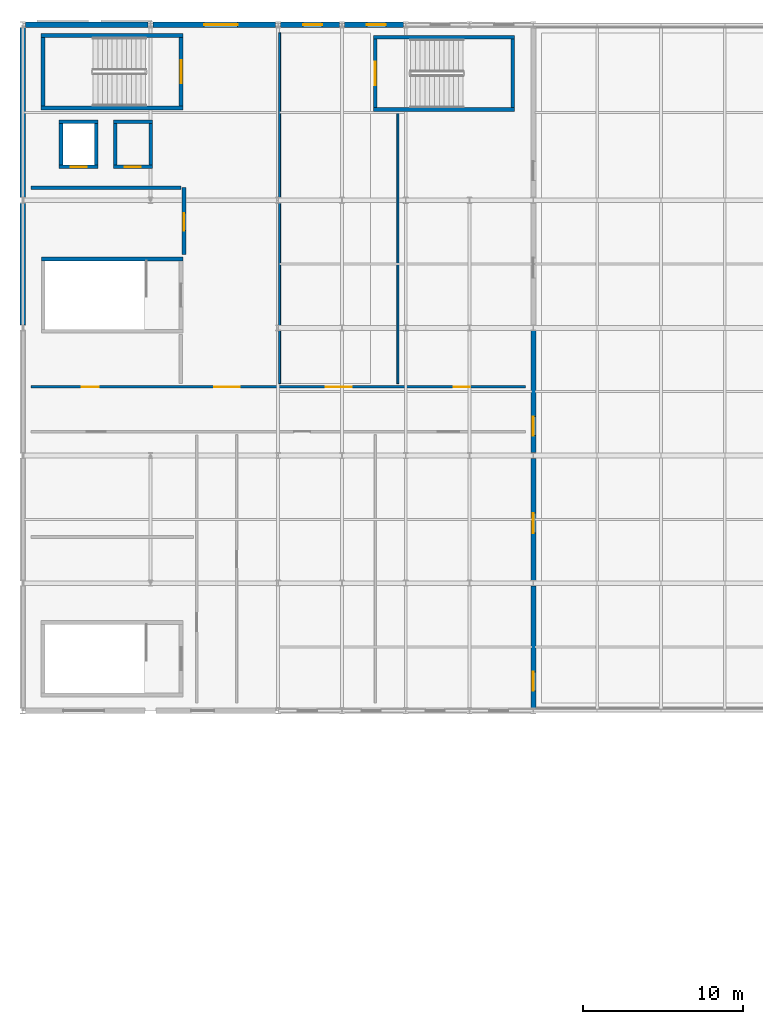
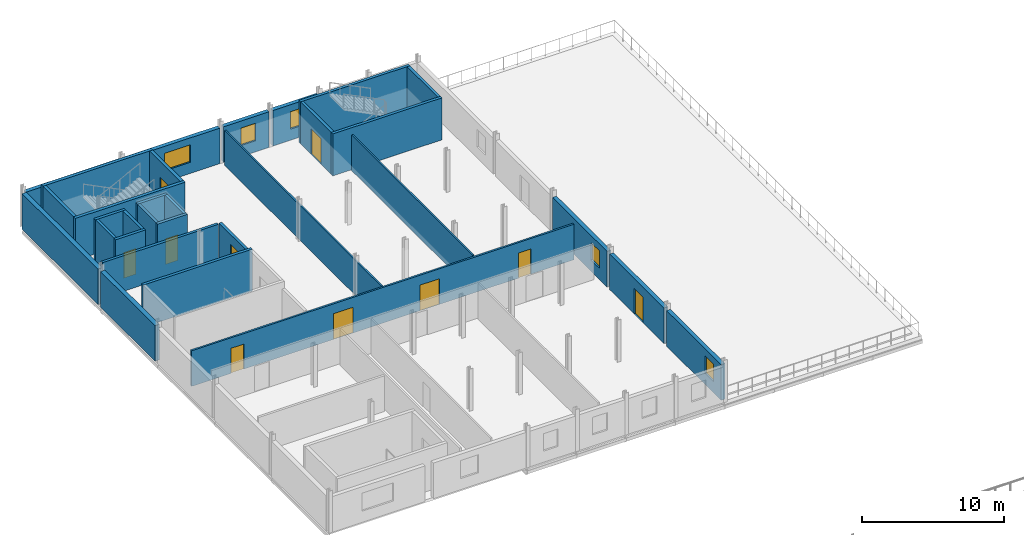
# One storey, part 7 of 11: 31 walls, 10 doors, 5 windows, 15 openings.
"""IFC4 building model written with IfcOpenShell, lengths in metres."""

from ifc_helpers import new_model, si_unit, derived_unit, direction, frame, frame_2d, origin, place, context, subcontext, project, spatial, rectangle, extrude, material, layer, layer_set, type_object, element, fill, save


model = new_model("IFC4")

# Units and contexts
model_context = context("Model", 3, precision=1e-05, world=origin(), true_north=direction((0.0, 1.0)))
body_context = subcontext(model_context, "Body", "Model", "MODEL_VIEW")
ifc_project = project(units=[si_unit("LENGTHUNIT", "METRE"), si_unit("AREAUNIT", "SQUARE_METRE"), si_unit("VOLUMEUNIT", "CUBIC_METRE"), si_unit("PLANEANGLEUNIT", "RADIAN"), si_unit("MASSUNIT", "GRAM", prefix="KILO"), derived_unit("THERMALTRANSMITTANCEUNIT", [(si_unit("POWERUNIT", "WATT"), 1), (si_unit("LENGTHUNIT", "METRE"), -2), (si_unit("THERMODYNAMICTEMPERATUREUNIT", "KELVIN"), -1)])], contexts=[model_context])

# Site, building, storey
site_placement = place(None, origin())
site = spatial("IfcSite", under=ifc_project, at=site_placement, CompositionType="ELEMENT")
building_placement = place(site_placement, origin())
building = spatial("IfcBuilding", under=site, at=building_placement, Name="Keldorne Ridge Multi-Sports Centre", CompositionType="ELEMENT")
storey_placement = place(building_placement, frame((0.0, 0.0, 18.60009765625)))
storey = spatial("IfcBuildingStorey", under=building, at=storey_placement, Name="L04", CompositionType="ELEMENT", Elevation=18.60009765625)

# Wall, opening, door
ifc_material_1 = material(Name="Moisture-resistant stud plumbing wall")
ifc_layer_1 = layer(ifc_material_1, 0.219970703125)
ifc_layer_set_1 = layer_set([ifc_layer_1])
wall_type_1 = type_object("IfcWallType", Name="WAL-PL-01", PredefinedType="PLUMBINGWALL", material=ifc_layer_set_1)
wall_1_placement = place(storey_placement, frame((114.10009765625, 102.60009765625, 0.0), z_axis=(0.0, 0.0, 1.0), x_axis=(0.0, 1.0, 0.0)))
wall_1 = element("IfcWall", 1, at=wall_1_placement, inside=storey, type_object=wall_type_1, Name="Fourth floor Public WC lobby wall IW-L04-079", PredefinedType="PLUMBINGWALL", context=body_context, shape_type="SweptSolid", body=[
    extrude(rectangle(XDim=4.199951171875, YDim=0.219970703125, at=frame_2d((2.10009765625, 0.0))), origin(), (0.0, 0.0, 1.0), 3.0498046875),
])
opening_1_placement = place(wall_1_placement, frame((1.5, 0.0, 0.0)))
opening_1 = element("IfcOpeningElement", 2, at=opening_1_placement, cuts=wall_1, Name="Opening D-03", PredefinedType="OPENING", context=body_context, shape_type="SweptSolid", body=[
    extrude(rectangle(XDim=1.10009765625, YDim=2.199951171875, at=frame_2d((0.550048828125, 1.10009765625))), frame((0.0, 0.1201171875, 0.0), z_axis=(0.0, -1.0, 0.0), x_axis=(1.0, 0.0, 0.0)), (0.0, 0.0, 1.0), 0.239990234375),
])
ifc_material_2 = material(Name="Timber fire-resisting leaf", Category="wood")
door_type_1 = type_object("IfcDoorType", Name="DR-D-03", OperationType="NOTDEFINED", PredefinedType="DOOR", material=ifc_material_2)
door_1_placement = place(opening_1_placement, origin())
door_1 = element("IfcDoor", 3, at=door_1_placement, inside=storey, type_object=door_type_1, Name="Fourth floor Public WC door D-142", OperationType="SINGLE_SWING_RIGHT", OverallHeight=2.199951171875, OverallWidth=1.10009765625, PredefinedType="DOOR", context=body_context, shape_type="SweptSolid", body=[
    extrude(rectangle(XDim=1.10009765625, YDim=2.199951171875, at=frame_2d((0.550048828125, 1.10009765625))), frame((0.0, 0.02490234375, 0.0), z_axis=(0.0, -1.0, 0.0), x_axis=(1.0, 0.0, 0.0)), (0.0, 0.0, 1.0), 0.050048828125),
])
fill(opening_1, door_1)

# Walls
wall_2_placement = place(storey_placement, frame((104.5, 106.800048828125, 0.0), z_axis=(0.0, 0.0, 1.0), x_axis=(1.0, 0.0, 0.0)))
element("IfcWall", 4, at=wall_2_placement, inside=storey, type_object=wall_type_1, Name="Fourth floor Public WC north wall IW-L04-080", PredefinedType="PLUMBINGWALL", context=body_context, shape_type="SweptSolid", body=[
    extrude(rectangle(XDim=9.39990234375, YDim=0.219970703125, at=frame_2d((4.699951171875, 0.0))), origin(), (0.0, 0.0, 1.0), 3.0498046875),
])
ifc_material_3 = material(Name="Precast concrete C40/50", Category="concrete")
ifc_layer_2 = layer(ifc_material_3, 0.320068359375)
ifc_layer_set_2 = layer_set([ifc_layer_2], Name="Precast concrete C40/50")
wall_type_2 = type_object("IfcWallType", Name="WAL-PR-W1", PredefinedType="STANDARD", material=ifc_layer_set_2)
wall_3_placement = place(storey_placement, frame((111.847900390625, 117.0, 0.0), z_axis=(0.0, 0.0, 1.0), x_axis=(-1.0, 0.0, 0.0)))
element("IfcWall", 5, at=wall_3_placement, inside=storey, type_object=wall_type_2, Name="East Wing L04 north facade 1", PredefinedType="STANDARD", context=body_context, shape_type="SweptSolid", body=[
    extrude(rectangle(XDim=7.69580078125, YDim=0.320068359375, at=frame_2d((3.847900390625, 0.0))), origin(), (0.0, 0.0, 1.0), 3.0498046875),
])

# Wall, opening, window
wall_4_placement = place(storey_placement, frame((119.847900390625, 117.0, 0.0), z_axis=(0.0, 0.0, 1.0), x_axis=(-1.0, 0.0, 0.0)))
wall_4 = element("IfcWall", 6, at=wall_4_placement, inside=storey, type_object=wall_type_2, Name="East Wing L04 north facade 2", PredefinedType="STANDARD", context=body_context, shape_type="SweptSolid", body=[
    extrude(rectangle(XDim=7.69580078125, YDim=0.320068359375, at=frame_2d((3.847900390625, 0.0))), origin(), (0.0, 0.0, 1.0), 3.0498046875),
])
opening_2_placement = place(wall_4_placement, frame((2.387939453125, 0.0, 0.949951171875)))
opening_2 = element("IfcOpeningElement", 7, at=opening_2_placement, cuts=wall_4, Name="Opening W-06", PredefinedType="OPENING", context=body_context, shape_type="SweptSolid", body=[
    extrude(rectangle(XDim=2.10009765625, YDim=1.5, at=frame_2d((1.050048828125, 0.75))), frame((0.0, 0.169921875, 0.0), z_axis=(0.0, -1.0, 0.0), x_axis=(1.0, 0.0, 0.0)), (0.0, 0.0, 1.0), 0.340087890625),
])
ifc_material_4 = material(Name="Anodized aluminium", Category="aluminium")
window_type_1 = type_object("IfcWindowType", Name="WIN-W-06", PartitioningType="DOUBLE_PANEL_VERTICAL", PredefinedType="WINDOW", material=ifc_material_4)
window_1_placement = place(opening_2_placement, origin())
window_1 = element("IfcWindow", 8, at=window_1_placement, inside=storey, type_object=window_type_1, Name="East Wing L04 north window W-113", OverallHeight=1.5, OverallWidth=2.10009765625, PartitioningType="SINGLE_PANEL", PredefinedType="WINDOW", context=body_context, shape_type="SweptSolid", body=[
    extrude(rectangle(XDim=2.10009765625, YDim=1.5, at=frame_2d((1.050048828125, 0.75))), frame((0.0, 0.030029296875, 0.0), z_axis=(0.0, -1.0, 0.0), x_axis=(1.0, 0.0, 0.0)), (0.0, 0.0, 1.0), 0.06005859375),
])
fill(opening_2, window_1)

wall_5_placement = place(storey_placement, frame((123.847900390625, 117.0, 0.0), z_axis=(0.0, 0.0, 1.0), x_axis=(-1.0, 0.0, 0.0)))
wall_5 = element("IfcWall", 9, at=wall_5_placement, inside=storey, type_object=wall_type_2, Name="East Wing L04 north facade 3", PredefinedType="STANDARD", context=body_context, shape_type="SweptSolid", body=[
    extrude(rectangle(XDim=3.69580078125, YDim=0.320068359375, at=frame_2d((1.847900390625, 0.0))), origin(), (0.0, 0.0, 1.0), 3.0498046875),
])
opening_3_placement = place(wall_5_placement, frame((1.087890625, 0.0, 0.949951171875)))
opening_3 = element("IfcOpeningElement", 10, at=opening_3_placement, cuts=wall_5, Name="Opening W-03", PredefinedType="OPENING", context=body_context, shape_type="SweptSolid", body=[
    extrude(rectangle(XDim=1.199951171875, YDim=1.5, at=frame_2d((0.60009765625, 0.75))), frame((0.0, 0.169921875, 0.0), z_axis=(0.0, -1.0, 0.0), x_axis=(1.0, 0.0, 0.0)), (0.0, 0.0, 1.0), 0.340087890625),
])
window_type_2 = type_object("IfcWindowType", Name="WIN-W-03", PartitioningType="SINGLE_PANEL", PredefinedType="WINDOW", material=ifc_material_4)
window_2_placement = place(opening_3_placement, origin())
window_2 = element("IfcWindow", 11, at=window_2_placement, inside=storey, type_object=window_type_2, Name="East Wing L04 north window W-114", OverallHeight=1.5, OverallWidth=1.199951171875, PartitioningType="SINGLE_PANEL", PredefinedType="WINDOW", context=body_context, shape_type="SweptSolid", body=[
    extrude(rectangle(XDim=1.199951171875, YDim=1.5, at=frame_2d((0.60009765625, 0.75))), frame((0.0, 0.030029296875, 0.0), z_axis=(0.0, -1.0, 0.0), x_axis=(1.0, 0.0, 0.0)), (0.0, 0.0, 1.0), 0.06005859375),
])
fill(opening_3, window_2)

wall_6_placement = place(storey_placement, frame((127.847900390625, 117.0, 0.0), z_axis=(0.0, 0.0, 1.0), x_axis=(-1.0, 0.0, 0.0)))
wall_6 = element("IfcWall", 12, at=wall_6_placement, inside=storey, type_object=wall_type_2, Name="East Wing L04 north facade 4", PredefinedType="STANDARD", context=body_context, shape_type="SweptSolid", body=[
    extrude(rectangle(XDim=3.69580078125, YDim=0.320068359375, at=frame_2d((1.847900390625, 0.0))), origin(), (0.0, 0.0, 1.0), 3.0498046875),
])
opening_4_placement = place(wall_6_placement, frame((1.087890625, 0.0, 0.949951171875)))
opening_4 = element("IfcOpeningElement", 13, at=opening_4_placement, cuts=wall_6, Name="Opening W-03", PredefinedType="OPENING", context=body_context, shape_type="SweptSolid", body=[
    extrude(rectangle(XDim=1.199951171875, YDim=1.5, at=frame_2d((0.60009765625, 0.75))), frame((0.0, 0.169921875, 0.0), z_axis=(0.0, -1.0, 0.0), x_axis=(1.0, 0.0, 0.0)), (0.0, 0.0, 1.0), 0.340087890625),
])
window_3_placement = place(opening_4_placement, origin())
window_3 = element("IfcWindow", 14, at=window_3_placement, inside=storey, type_object=window_type_2, Name="East Wing L04 north window W-115", OverallHeight=1.5, OverallWidth=1.199951171875, PartitioningType="SINGLE_PANEL", PredefinedType="WINDOW", context=body_context, shape_type="SweptSolid", body=[
    extrude(rectangle(XDim=1.199951171875, YDim=1.5, at=frame_2d((0.60009765625, 0.75))), frame((0.0, 0.030029296875, 0.0), z_axis=(0.0, -1.0, 0.0), x_axis=(1.0, 0.0, 0.0)), (0.0, 0.0, 1.0), 0.06005859375),
])
fill(opening_4, window_3)

wall_7_placement = place(storey_placement, frame((136.0, 74.177001953125, 0.0), z_axis=(0.0, 0.0, 1.0), x_axis=(0.0, 1.0, 0.0)))
wall_7 = element("IfcWall", 15, at=wall_7_placement, inside=storey, type_object=wall_type_2, Name="East Wing L04 east facade 1", PredefinedType="STANDARD", context=body_context, shape_type="SweptSolid", body=[
    extrude(rectangle(XDim=7.64599609375, YDim=0.320068359375, at=frame_2d((3.822998046875, 0.0))), origin(), (0.0, 0.0, 1.0), 3.0498046875),
])
opening_5_placement = place(wall_7_placement, frame((1.06298828125, 0.0, 0.949951171875)))
opening_5 = element("IfcOpeningElement", 16, at=opening_5_placement, cuts=wall_7, Name="Opening W-03", PredefinedType="OPENING", context=body_context, shape_type="SweptSolid", body=[
    extrude(rectangle(XDim=1.199951171875, YDim=1.5, at=frame_2d((0.60009765625, 0.75))), frame((0.0, 0.169921875, 0.0), z_axis=(0.0, -1.0, 0.0), x_axis=(1.0, 0.0, 0.0)), (0.0, 0.0, 1.0), 0.340087890625),
])
window_4_placement = place(opening_5_placement, origin())
window_4 = element("IfcWindow", 17, at=window_4_placement, inside=storey, type_object=window_type_2, Name="East Wing L04 east window W-118", OverallHeight=1.5, OverallWidth=1.199951171875, PartitioningType="SINGLE_PANEL", PredefinedType="WINDOW", context=body_context, shape_type="SweptSolid", body=[
    extrude(rectangle(XDim=1.199951171875, YDim=1.5, at=frame_2d((0.60009765625, 0.75))), frame((0.0, 0.030029296875, 0.0), z_axis=(0.0, -1.0, 0.0), x_axis=(1.0, 0.0, 0.0)), (0.0, 0.0, 1.0), 0.06005859375),
])
fill(opening_5, window_4)

# Wall, opening, door
wall_8_placement = place(storey_placement, frame((136.0, 82.177001953125, 0.0), z_axis=(0.0, 0.0, 1.0), x_axis=(0.0, 1.0, 0.0)))
wall_8 = element("IfcWall", 18, at=wall_8_placement, inside=storey, type_object=wall_type_2, Name="East Wing L04 east facade 2", PredefinedType="STANDARD", context=body_context, shape_type="SweptSolid", body=[
    extrude(rectangle(XDim=7.64599609375, YDim=0.320068359375, at=frame_2d((3.822998046875, 0.0))), origin(), (0.0, 0.0, 1.0), 3.0498046875),
])
opening_6_placement = place(wall_8_placement, frame((2.962890625, 0.0, 0.0)))
opening_6 = element("IfcOpeningElement", 19, at=opening_6_placement, cuts=wall_8, Name="Opening ED-06", PredefinedType="OPENING", context=body_context, shape_type="SweptSolid", body=[
    extrude(rectangle(XDim=1.25, YDim=2.199951171875, at=frame_2d((0.625, 1.10009765625))), frame((0.0, 0.169921875, 0.0), z_axis=(0.0, -1.0, 0.0), x_axis=(1.0, 0.0, 0.0)), (0.0, 0.0, 1.0), 0.340087890625),
])
ifc_material_5 = material(Name="Galvanized steel", Category="steel")
door_type_2 = type_object("IfcDoorType", Name="DR-ED-06", OperationType="NOTDEFINED", PredefinedType="DOOR", material=ifc_material_5)
door_2_placement = place(opening_6_placement, origin())
door_2 = element("IfcDoor", 20, at=door_2_placement, inside=storey, type_object=door_type_2, Name="L04 Stepped Roof Garden door 1", OperationType="SINGLE_SWING_RIGHT", OverallHeight=2.199951171875, OverallWidth=1.25, PredefinedType="DOOR", context=body_context, shape_type="SweptSolid", body=[
    extrude(rectangle(XDim=1.25, YDim=2.199951171875, at=frame_2d((0.625, 1.10009765625))), frame((0.0, 0.02490234375, 0.0), z_axis=(0.0, -1.0, 0.0), x_axis=(1.0, 0.0, 0.0)), (0.0, 0.0, 1.0), 0.050048828125),
])
fill(opening_6, door_2)

# Wall, opening, window
wall_9_placement = place(storey_placement, frame((136.0, 90.177001953125, 0.0), z_axis=(0.0, 0.0, 1.0), x_axis=(0.0, 1.0, 0.0)))
wall_9 = element("IfcWall", 21, at=wall_9_placement, inside=storey, type_object=wall_type_2, Name="East Wing L04 east facade 3", PredefinedType="STANDARD", context=body_context, shape_type="SweptSolid", body=[
    extrude(rectangle(XDim=7.64599609375, YDim=0.320068359375, at=frame_2d((3.822998046875, 0.0))), origin(), (0.0, 0.0, 1.0), 3.0498046875),
])
opening_7_placement = place(wall_9_placement, frame((1.06298828125, 0.0, 0.949951171875)))
opening_7 = element("IfcOpeningElement", 22, at=opening_7_placement, cuts=wall_9, Name="Opening W-03", PredefinedType="OPENING", context=body_context, shape_type="SweptSolid", body=[
    extrude(rectangle(XDim=1.199951171875, YDim=1.5, at=frame_2d((0.60009765625, 0.75))), frame((0.0, 0.169921875, 0.0), z_axis=(0.0, -1.0, 0.0), x_axis=(1.0, 0.0, 0.0)), (0.0, 0.0, 1.0), 0.340087890625),
])
window_5_placement = place(opening_7_placement, origin())
window_5 = element("IfcWindow", 23, at=window_5_placement, inside=storey, type_object=window_type_2, Name="East Wing L04 east window W-119", OverallHeight=1.5, OverallWidth=1.199951171875, PartitioningType="SINGLE_PANEL", PredefinedType="WINDOW", context=body_context, shape_type="SweptSolid", body=[
    extrude(rectangle(XDim=1.199951171875, YDim=1.5, at=frame_2d((0.60009765625, 0.75))), frame((0.0, 0.030029296875, 0.0), z_axis=(0.0, -1.0, 0.0), x_axis=(1.0, 0.0, 0.0)), (0.0, 0.0, 1.0), 0.06005859375),
])
fill(opening_7, window_5)

# Walls
ifc_layer_3 = layer(ifc_material_3, 0.360107421875)
ifc_layer_set_3 = layer_set([ifc_layer_3], Name="Precast concrete C40/50")
wall_type_3 = type_object("IfcWallType", Name="WAL-PR-W2", PredefinedType="STANDARD", material=ifc_layer_set_3)
wall_10_placement = place(storey_placement, frame((104.0, 105.822998046875, 0.0), z_axis=(0.0, 0.0, 1.0), x_axis=(0.0, -1.0, 0.0)))
element("IfcWall", 24, at=wall_10_placement, inside=storey, type_object=wall_type_3, Name="East Wing movement-joint wall L04.4", PredefinedType="STANDARD", context=body_context, shape_type="SweptSolid", body=[
    extrude(rectangle(XDim=7.64599609375, YDim=0.360107421875, at=frame_2d((3.822998046875, 0.0))), origin(), (0.0, 0.0, 1.0), 3.0498046875),
])
wall_11_placement = place(storey_placement, frame((104.0, 116.822998046875, 0.0), z_axis=(0.0, 0.0, 1.0), x_axis=(0.0, -1.0, 0.0)))
element("IfcWall", 25, at=wall_11_placement, inside=storey, type_object=wall_type_3, Name="East Wing movement-joint wall L04.5", PredefinedType="STANDARD", context=body_context, shape_type="SweptSolid", body=[
    extrude(rectangle(XDim=10.64599609375, YDim=0.360107421875, at=frame_2d((5.322998046875, 0.0))), origin(), (0.0, 0.0, 1.0), 3.0498046875),
])
ifc_material_6 = material(Name="Acoustic metal stud plasterboard")
ifc_layer_4 = layer(ifc_material_6, 0.125)
ifc_layer_set_4 = layer_set([ifc_layer_4])
wall_type_4 = type_object("IfcWallType", Name="WAL-PT-01", PredefinedType="PARTITIONING", material=ifc_layer_set_4)
wall_12_placement = place(storey_placement, frame((120.10009765625, 94.5, 0.0), z_axis=(0.0, 0.0, 1.0), x_axis=(0.0, 1.0, 0.0)))
element("IfcWall", 26, at=wall_12_placement, inside=storey, type_object=wall_type_4, Name="Fourth floor room divider IW-L04-081", PredefinedType="PARTITIONING", context=body_context, shape_type="SweptSolid", body=[
    extrude(rectangle(XDim=22.0, YDim=0.125, at=frame_2d((11.0, 0.0))), origin(), (0.0, 0.0, 1.0), 2.98486328125),
])
wall_13_placement = place(storey_placement, frame((127.5, 94.5, 0.0), z_axis=(0.0, 0.0, 1.0), x_axis=(0.0, 1.0, 0.0)))
element("IfcWall", 27, at=wall_13_placement, inside=storey, type_object=wall_type_4, Name="Fourth floor room divider IW-L04-082", PredefinedType="PARTITIONING", context=body_context, shape_type="SweptSolid", body=[
    extrude(rectangle(XDim=17.0, YDim=0.125, at=frame_2d((8.5, 0.0))), origin(), (0.0, 0.0, 1.0), 3.0498046875),
])

# Wall, openings, doors
ifc_material_7 = material(Name="Fire-rated twin stud plasterboard")
ifc_layer_5 = layer(ifc_material_7, 0.14990234375)
ifc_layer_set_5 = layer_set([ifc_layer_5])
wall_type_5 = type_object("IfcWallType", Name="WAL-PT-02", PredefinedType="PARTITIONING", material=ifc_layer_set_5)
wall_14_placement = place(storey_placement, frame((104.5, 94.300048828125, 0.0), z_axis=(0.0, 0.0, 1.0), x_axis=(1.0, 0.0, 0.0)))
wall_14 = element("IfcWall", 28, at=wall_14_placement, inside=storey, type_object=wall_type_5, Name="Fourth floor corridor north wall IW-L04-077", PredefinedType="PARTITIONING", context=body_context, shape_type="SweptSolid", body=[
    extrude(rectangle(XDim=31.0, YDim=0.14990234375, at=frame_2d((15.5, 0.0))), origin(), (0.0, 0.0, 1.0), 3.0498046875),
])
opening_8_placement = place(wall_14_placement, frame((3.199951171875, 0.0, 0.0)))
opening_8 = element("IfcOpeningElement", 29, at=opening_8_placement, cuts=wall_14, Name="Opening D-08", PredefinedType="OPENING", context=body_context, shape_type="SweptSolid", body=[
    extrude(rectangle(XDim=1.050048828125, YDim=2.14990234375, at=frame_2d((0.52490234375, 1.074951171875))), frame((0.0, 0.0849609375, 0.0), z_axis=(0.0, -1.0, 0.0), x_axis=(1.0, 0.0, 0.0)), (0.0, 0.0, 1.0), 0.169921875),
])
opening_9_placement = place(wall_14_placement, frame((11.5, 0.0, 0.0)))
opening_9 = element("IfcOpeningElement", 30, at=opening_9_placement, cuts=wall_14, Name="Opening D-04", PredefinedType="OPENING", context=body_context, shape_type="SweptSolid", body=[
    extrude(rectangle(XDim=1.60009765625, YDim=2.199951171875, at=frame_2d((0.800048828125, 1.10009765625))), frame((0.0, 0.0849609375, 0.0), z_axis=(0.0, -1.0, 0.0), x_axis=(1.0, 0.0, 0.0)), (0.0, 0.0, 1.0), 0.169921875),
])
opening_10_placement = place(wall_14_placement, frame((18.5, 0.0, 0.0)))
opening_10 = element("IfcOpeningElement", 31, at=opening_10_placement, cuts=wall_14, Name="Opening D-04", PredefinedType="OPENING", context=body_context, shape_type="SweptSolid", body=[
    extrude(rectangle(XDim=1.60009765625, YDim=2.199951171875, at=frame_2d((0.800048828125, 1.10009765625))), frame((0.0, 0.0849609375, 0.0), z_axis=(0.0, -1.0, 0.0), x_axis=(1.0, 0.0, 0.0)), (0.0, 0.0, 1.0), 0.169921875),
])
opening_11_placement = place(wall_14_placement, frame((26.5, 0.0, 0.0)))
opening_11 = element("IfcOpeningElement", 32, at=opening_11_placement, cuts=wall_14, Name="Opening D-02", PredefinedType="OPENING", context=body_context, shape_type="SweptSolid", body=[
    extrude(rectangle(XDim=1.0, YDim=2.14990234375, at=frame_2d((0.5, 1.074951171875))), frame((0.0, 0.0849609375, 0.0), z_axis=(0.0, -1.0, 0.0), x_axis=(1.0, 0.0, 0.0)), (0.0, 0.0, 1.0), 0.169921875),
])
ifc_material_8 = material(Name="Timber acoustic leaf", Category="wood")
door_type_3 = type_object("IfcDoorType", Name="DR-D-02", OperationType="NOTDEFINED", PredefinedType="DOOR", material=ifc_material_8)
door_3_placement = place(opening_11_placement, origin())
door_3 = element("IfcDoor", 33, at=door_3_placement, inside=storey, type_object=door_type_3, Name="High-Performance Spin Studio door D-141", OperationType="SINGLE_SWING_LEFT", OverallHeight=2.14990234375, OverallWidth=1.0, PredefinedType="DOOR", context=body_context, shape_type="SweptSolid", body=[
    extrude(rectangle(XDim=1.0, YDim=2.14990234375, at=frame_2d((0.5, 1.074951171875))), frame((0.0, 0.02490234375, 0.0), z_axis=(0.0, -1.0, 0.0), x_axis=(1.0, 0.0, 0.0)), (0.0, 0.0, 1.0), 0.050048828125),
])
fill(opening_11, door_3)
ifc_material_9 = material(Name="Timber fire-resisting pair", Category="wood")
door_type_4 = type_object("IfcDoorType", Name="DR-D-04", OperationType="NOTDEFINED", PredefinedType="DOOR", material=ifc_material_9)
door_4_placement = place(opening_9_placement, origin())
door_4 = element("IfcDoor", 34, at=door_4_placement, inside=storey, type_object=door_type_4, Name="Fourth floor north lift lobby door D-139", OperationType="DOUBLE_DOOR_SINGLE_SWING", OverallHeight=2.199951171875, OverallWidth=1.60009765625, PredefinedType="DOOR", context=body_context, shape_type="SweptSolid", body=[
    extrude(rectangle(XDim=1.60009765625, YDim=2.199951171875, at=frame_2d((0.800048828125, 1.10009765625))), frame((0.0, 0.02490234375, 0.0), z_axis=(0.0, -1.0, 0.0), x_axis=(1.0, 0.0, 0.0)), (0.0, 0.0, 1.0), 0.050048828125),
])
fill(opening_9, door_4)
door_5_placement = place(opening_10_placement, origin())
door_5 = element("IfcDoor", 35, at=door_5_placement, inside=storey, type_object=door_type_4, Name="Indoor Track Warm-Up Hall door D-140", OperationType="DOUBLE_DOOR_SINGLE_SWING", OverallHeight=2.199951171875, OverallWidth=1.60009765625, PredefinedType="DOOR", context=body_context, shape_type="SweptSolid", body=[
    extrude(rectangle(XDim=1.60009765625, YDim=2.199951171875, at=frame_2d((0.800048828125, 1.10009765625))), frame((0.0, 0.02490234375, 0.0), z_axis=(0.0, -1.0, 0.0), x_axis=(1.0, 0.0, 0.0)), (0.0, 0.0, 1.0), 0.050048828125),
])
fill(opening_10, door_5)
ifc_material_10 = material(Name="Timber moisture-resistant leaf", Category="wood")
door_type_5 = type_object("IfcDoorType", Name="DR-D-08", OperationType="NOTDEFINED", PredefinedType="DOOR", material=ifc_material_10)
door_6_placement = place(opening_8_placement, origin())
door_6 = element("IfcDoor", 36, at=door_6_placement, inside=storey, type_object=door_type_5, Name="Fourth floor Accessible WC door D-138", OperationType="SINGLE_SWING_RIGHT", OverallHeight=2.14990234375, OverallWidth=1.050048828125, PredefinedType="DOOR", context=body_context, shape_type="SweptSolid", body=[
    extrude(rectangle(XDim=1.050048828125, YDim=2.14990234375, at=frame_2d((0.52490234375, 1.074951171875))), frame((0.0, 0.02490234375, 0.0), z_axis=(0.0, -1.0, 0.0), x_axis=(1.0, 0.0, 0.0)), (0.0, 0.0, 1.0), 0.050048828125),
])
fill(opening_8, door_6)

# Wall, opening, door
ifc_material_11 = material(Name="Concrete C40/50", Category="concrete")
ifc_layer_6 = layer(ifc_material_11, 0.25)
ifc_layer_set_6 = layer_set([ifc_layer_6], Name="Concrete C40/50")
wall_type_6 = type_object("IfcWallType", Name="WAL-SW01", PredefinedType="SHEAR", material=ifc_layer_set_6)
wall_15_placement = place(storey_placement, frame((113.925048828125, 111.89990234375, 0.0), z_axis=(0.0, 0.0, 1.0), x_axis=(0.0, 1.0, 0.0)))
wall_15 = element("IfcWall", 37, at=wall_15_placement, inside=storey, type_object=wall_type_6, Name="Stair ST-01 shaft wall L04 NEAR", PredefinedType="SHEAR", context=body_context, shape_type="SweptSolid", body=[
    extrude(rectangle(XDim=4.300048828125, YDim=0.25, at=frame_2d((2.14990234375, 0.0))), origin(), (0.0, 0.0, 1.0), 3.599853515625),
])
opening_12_placement = place(wall_15_placement, frame((1.425048828125, 0.0, 0.0)))
opening_12 = element("IfcOpeningElement", 38, at=opening_12_placement, cuts=wall_15, Name="Opening D-05", PredefinedType="OPENING", context=body_context, shape_type="SweptSolid", body=[
    extrude(rectangle(XDim=1.449951171875, YDim=2.199951171875, at=frame_2d((0.72509765625, 1.10009765625))), frame((0.0, 0.135009765625, 0.0), z_axis=(0.0, -1.0, 0.0), x_axis=(1.0, 0.0, 0.0)), (0.0, 0.0, 1.0), 0.27001953125),
])
ifc_material_12 = material(Name="Steel fire-resisting pair", Category="steel")
door_type_6 = type_object("IfcDoorType", Name="DR-D-05", OperationType="NOTDEFINED", PredefinedType="DOOR", material=ifc_material_12)
door_7_placement = place(opening_12_placement, origin())
door_7 = element("IfcDoor", 39, at=door_7_placement, inside=storey, type_object=door_type_6, Name="Stair ST-01 L04 fire door D-006", OperationType="DOUBLE_DOOR_SINGLE_SWING", OverallHeight=2.199951171875, OverallWidth=1.449951171875, PredefinedType="DOOR", context=body_context, shape_type="SweptSolid", body=[
    extrude(rectangle(XDim=1.449951171875, YDim=2.199951171875, at=frame_2d((0.72509765625, 1.10009765625))), frame((0.0, 0.02490234375, 0.0), z_axis=(0.0, -1.0, 0.0), x_axis=(1.0, 0.0, 0.0)), (0.0, 0.0, 1.0), 0.050048828125),
])
fill(opening_12, door_7)

# Walls
wall_16_placement = place(storey_placement, frame((105.27490234375, 116.199951171875, 0.0), z_axis=(0.0, 0.0, 1.0), x_axis=(0.0, -1.0, 0.0)))
element("IfcWall", 40, at=wall_16_placement, inside=storey, type_object=wall_type_6, Name="Stair ST-01 shaft wall L04 FAR", PredefinedType="SHEAR", context=body_context, shape_type="SweptSolid", body=[
    extrude(rectangle(XDim=4.300048828125, YDim=0.25, at=frame_2d((2.14990234375, 0.0))), origin(), (0.0, 0.0, 1.0), 3.599853515625),
])
for number, where, z_axis, x_axis, name in (
    (41, (105.14990234375, 111.77490234375, 0.0), (0.0, 0.0, 1.0), (1.0, 0.0, 0.0), "Stair ST-01 shaft wall L04 SOUTH"),
    (42, (114.050048828125, 116.324951171875, 0.0), (0.0, 0.0, 1.0), (-1.0, 0.0, 0.0), "Stair ST-01 shaft wall L04 NORTH"),
):
    element("IfcWall", number, at=place(storey_placement, frame(where, z_axis=z_axis, x_axis=x_axis)), inside=storey, type_object=wall_type_6, Name=name, PredefinedType="SHEAR", context=body_context, shape_type="SweptSolid", body=[
        extrude(rectangle(XDim=8.900146484375, YDim=0.25, at=frame_2d((4.4501953125, 0.0))), origin(), (0.0, 0.0, 1.0), 3.599853515625),
    ])

# Wall, opening, door
ifc_layer_7 = layer(ifc_material_11, 0.22998046875)
ifc_layer_set_7 = layer_set([ifc_layer_7], Name="Concrete C40/50")
wall_type_7 = type_object("IfcWallType", Name="WAL-SW02", PredefinedType="SHEAR", material=ifc_layer_set_7)
wall_17_placement = place(storey_placement, frame((106.280029296875, 108.090087890625, 0.0), z_axis=(0.0, 0.0, 1.0), x_axis=(1.0, 0.0, 0.0)))
wall_17 = element("IfcWall", 43, at=wall_17_placement, inside=storey, type_object=wall_type_7, Name="Lift L-01 shaft wall L04 south", PredefinedType="SHEAR", context=body_context, shape_type="SweptSolid", body=[
    extrude(rectangle(XDim=2.43994140625, YDim=0.219970703125, at=frame_2d((1.219970703125, 0.0))), origin(), (0.0, 0.0, 1.0), 3.599853515625),
])
opening_13_placement = place(wall_17_placement, frame((0.719970703125, 0.0, 0.0)))
opening_13 = element("IfcOpeningElement", 44, at=opening_13_placement, cuts=wall_17, Name="Opening LD-01", PredefinedType="OPENING", context=body_context, shape_type="SweptSolid", body=[
    extrude(rectangle(XDim=1.0, YDim=2.199951171875, at=frame_2d((0.5, 1.10009765625))), frame((0.0, 0.1201171875, 0.0), z_axis=(0.0, -1.0, 0.0), x_axis=(1.0, 0.0, 0.0)), (0.0, 0.0, 1.0), 0.239990234375),
])
ifc_material_13 = material(Name="Stainless steel", Category="steel")
door_type_7 = type_object("IfcDoorType", Name="DR-LD-01", OperationType="NOTDEFINED", PredefinedType="DOOR", material=ifc_material_13)
door_8_placement = place(opening_13_placement, origin())
door_8 = element("IfcDoor", 45, at=door_8_placement, inside=storey, type_object=door_type_7, Name="Lift L-01 sliding landing door L04", OperationType="SLIDING_TO_LEFT", OverallHeight=2.199951171875, OverallWidth=1.0, PredefinedType="DOOR", context=body_context, shape_type="SweptSolid", body=[
    extrude(rectangle(XDim=1.0, YDim=2.199951171875, at=frame_2d((0.5, 1.10009765625))), frame((0.0, 0.02490234375, 0.0), z_axis=(0.0, -1.0, 0.0), x_axis=(1.0, 0.0, 0.0)), (0.0, 0.0, 1.0), 0.050048828125),
])
fill(opening_13, door_8)

# Walls
wall_18_placement = place(storey_placement, frame((108.719970703125, 110.909912109375, 0.0), z_axis=(0.0, 0.0, 1.0), x_axis=(-1.0, 0.0, 0.0)))
element("IfcWall", 46, at=wall_18_placement, inside=storey, type_object=wall_type_7, Name="Lift L-01 shaft wall L04 north", PredefinedType="SHEAR", context=body_context, shape_type="SweptSolid", body=[
    extrude(rectangle(XDim=2.43994140625, YDim=0.219970703125, at=frame_2d((1.219970703125, 0.0))), origin(), (0.0, 0.0, 1.0), 3.599853515625),
])
for number, where, z_axis, x_axis, name in (
    (47, (106.389892578125, 110.800048828125, 0.0), (0.0, 0.0, 1.0), (0.0, -1.0, 0.0), "Lift L-01 shaft wall L04 west"),
    (48, (108.610107421875, 108.199951171875, 0.0), (0.0, 0.0, 1.0), (0.0, 1.0, 0.0), "Lift L-01 shaft wall L04 east"),
):
    element("IfcWall", number, at=place(storey_placement, frame(where, z_axis=z_axis, x_axis=x_axis)), inside=storey, type_object=wall_type_7, Name=name, PredefinedType="SHEAR", context=body_context, shape_type="SweptSolid", body=[
        extrude(rectangle(XDim=2.60009765625, YDim=0.219970703125, at=frame_2d((1.300048828125, 0.0))), origin(), (0.0, 0.0, 1.0), 3.599853515625),
    ])

# Wall, opening, door
wall_19_placement = place(storey_placement, frame((109.679931640625, 108.090087890625, 0.0), z_axis=(0.0, 0.0, 1.0), x_axis=(1.0, 0.0, 0.0)))
wall_19 = element("IfcWall", 49, at=wall_19_placement, inside=storey, type_object=wall_type_7, Name="Lift L-02 shaft wall L04 south", PredefinedType="SHEAR", context=body_context, shape_type="SweptSolid", body=[
    extrude(rectangle(XDim=2.440185546875, YDim=0.219970703125, at=frame_2d((1.22021484375, 0.0))), origin(), (0.0, 0.0, 1.0), 3.75),
])
opening_14_placement = place(wall_19_placement, frame((0.719970703125, 0.0, 0.0)))
opening_14 = element("IfcOpeningElement", 50, at=opening_14_placement, cuts=wall_19, Name="Opening LD-01", PredefinedType="OPENING", context=body_context, shape_type="SweptSolid", body=[
    extrude(rectangle(XDim=1.0, YDim=2.199951171875, at=frame_2d((0.5, 1.10009765625))), frame((0.0, 0.1201171875, 0.0), z_axis=(0.0, -1.0, 0.0), x_axis=(1.0, 0.0, 0.0)), (0.0, 0.0, 1.0), 0.239990234375),
])
door_9_placement = place(opening_14_placement, origin())
door_9 = element("IfcDoor", 51, at=door_9_placement, inside=storey, type_object=door_type_7, Name="Lift L-02 sliding landing door L04", OperationType="SLIDING_TO_LEFT", OverallHeight=2.199951171875, OverallWidth=1.0, PredefinedType="DOOR", context=body_context, shape_type="SweptSolid", body=[
    extrude(rectangle(XDim=1.0, YDim=2.199951171875, at=frame_2d((0.5, 1.10009765625))), frame((0.0, 0.02490234375, 0.0), z_axis=(0.0, -1.0, 0.0), x_axis=(1.0, 0.0, 0.0)), (0.0, 0.0, 1.0), 0.050048828125),
])
fill(opening_14, door_9)

# Walls
wall_20_placement = place(storey_placement, frame((112.1201171875, 110.909912109375, 0.0), z_axis=(0.0, 0.0, 1.0), x_axis=(-1.0, 0.0, 0.0)))
element("IfcWall", 52, at=wall_20_placement, inside=storey, type_object=wall_type_7, Name="Lift L-02 shaft wall L04 north", PredefinedType="SHEAR", context=body_context, shape_type="SweptSolid", body=[
    extrude(rectangle(XDim=2.440185546875, YDim=0.219970703125, at=frame_2d((1.22021484375, 0.0))), origin(), (0.0, 0.0, 1.0), 3.75),
])
for number, where, z_axis, x_axis, name in (
    (53, (109.7900390625, 110.800048828125, 0.0), (0.0, 0.0, 1.0), (0.0, -1.0, 0.0), "Lift L-02 shaft wall L04 west"),
    (54, (112.010009765625, 108.199951171875, 0.0), (0.0, 0.0, 1.0), (0.0, 1.0, 0.0), "Lift L-02 shaft wall L04 east"),
):
    element("IfcWall", number, at=place(storey_placement, frame(where, z_axis=z_axis, x_axis=x_axis)), inside=storey, type_object=wall_type_7, Name=name, PredefinedType="SHEAR", context=body_context, shape_type="SweptSolid", body=[
        extrude(rectangle(XDim=2.60009765625, YDim=0.219970703125, at=frame_2d((1.300048828125, 0.0))), origin(), (0.0, 0.0, 1.0), 3.75),
    ])

# Wall, opening, door
wall_21_placement = place(storey_placement, frame((126.0849609375, 111.800048828125, 0.0), z_axis=(0.0, 0.0, 1.0), x_axis=(0.0, 1.0, 0.0)))
wall_21 = element("IfcWall", 55, at=wall_21_placement, inside=storey, type_object=wall_type_7, Name="Stair ST-10 shaft wall L04 NEAR", PredefinedType="SHEAR", context=body_context, shape_type="SweptSolid", body=[
    extrude(rectangle(XDim=4.300048828125, YDim=0.22998046875, at=frame_2d((2.14990234375, 0.0))), origin(), (0.0, 0.0, 1.0), 3.599853515625),
])
opening_15_placement = place(wall_21_placement, frame((1.425048828125, 0.0, 0.0)))
opening_15 = element("IfcOpeningElement", 56, at=opening_15_placement, cuts=wall_21, Name="Opening D-05", PredefinedType="OPENING", context=body_context, shape_type="SweptSolid", body=[
    extrude(rectangle(XDim=1.449951171875, YDim=2.199951171875, at=frame_2d((0.72509765625, 1.10009765625))), frame((0.0, 0.125, 0.0), z_axis=(0.0, -1.0, 0.0), x_axis=(1.0, 0.0, 0.0)), (0.0, 0.0, 1.0), 0.25),
])
door_10_placement = place(opening_15_placement, origin())
door_10 = element("IfcDoor", 57, at=door_10_placement, inside=storey, type_object=door_type_6, Name="Stair ST-10 L04 fire door D-043", OperationType="DOUBLE_DOOR_SINGLE_SWING", OverallHeight=2.199951171875, OverallWidth=1.449951171875, PredefinedType="DOOR", context=body_context, shape_type="SweptSolid", body=[
    extrude(rectangle(XDim=1.449951171875, YDim=2.199951171875, at=frame_2d((0.72509765625, 1.10009765625))), frame((0.0, 0.02490234375, 0.0), z_axis=(0.0, -1.0, 0.0), x_axis=(1.0, 0.0, 0.0)), (0.0, 0.0, 1.0), 0.050048828125),
])
fill(opening_15, door_10)

# Walls
wall_22_placement = place(storey_placement, frame((134.715087890625, 116.10009765625, 0.0), z_axis=(0.0, 0.0, 1.0), x_axis=(0.0, -1.0, 0.0)))
element("IfcWall", 58, at=wall_22_placement, inside=storey, type_object=wall_type_7, Name="Stair ST-10 shaft wall L04 FAR", PredefinedType="SHEAR", context=body_context, shape_type="SweptSolid", body=[
    extrude(rectangle(XDim=4.300048828125, YDim=0.22998046875, at=frame_2d((2.14990234375, 0.0))), origin(), (0.0, 0.0, 1.0), 3.599853515625),
])
for number, where, z_axis, x_axis, name in (
    (59, (125.969970703125, 111.68505859375, 0.0), (0.0, 0.0, 1.0), (1.0, 0.0, 0.0), "Stair ST-10 shaft wall L04 SOUTH"),
    (60, (134.830078125, 116.215087890625, 0.0), (0.0, 0.0, 1.0), (-1.0, 0.0, 0.0), "Stair ST-10 shaft wall L04 NORTH"),
    (61, (114.030029296875, 102.31494140625, 0.0), (0.0, 0.0, 1.0), (-1.0, 0.0, 0.0), "Stair ST-11 shaft wall L04 NORTH"),
):
    element("IfcWall", number, at=place(storey_placement, frame(where, z_axis=z_axis, x_axis=x_axis)), inside=storey, type_object=wall_type_7, Name=name, PredefinedType="SHEAR", context=body_context, shape_type="SweptSolid", body=[
        extrude(rectangle(XDim=8.860107421875, YDim=0.22998046875, at=frame_2d((4.43017578125, 0.0))), origin(), (0.0, 0.0, 1.0), 3.599853515625),
    ])

save(model, "model.ifc")
